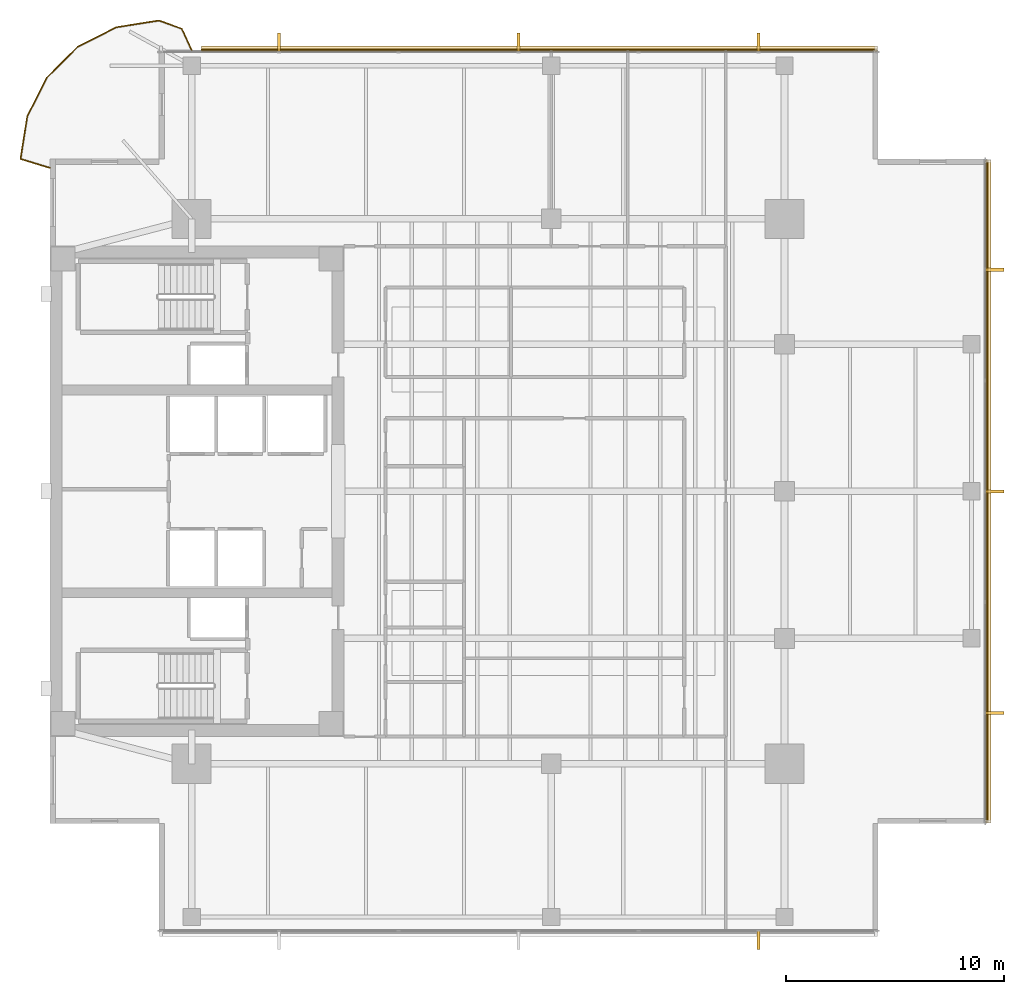
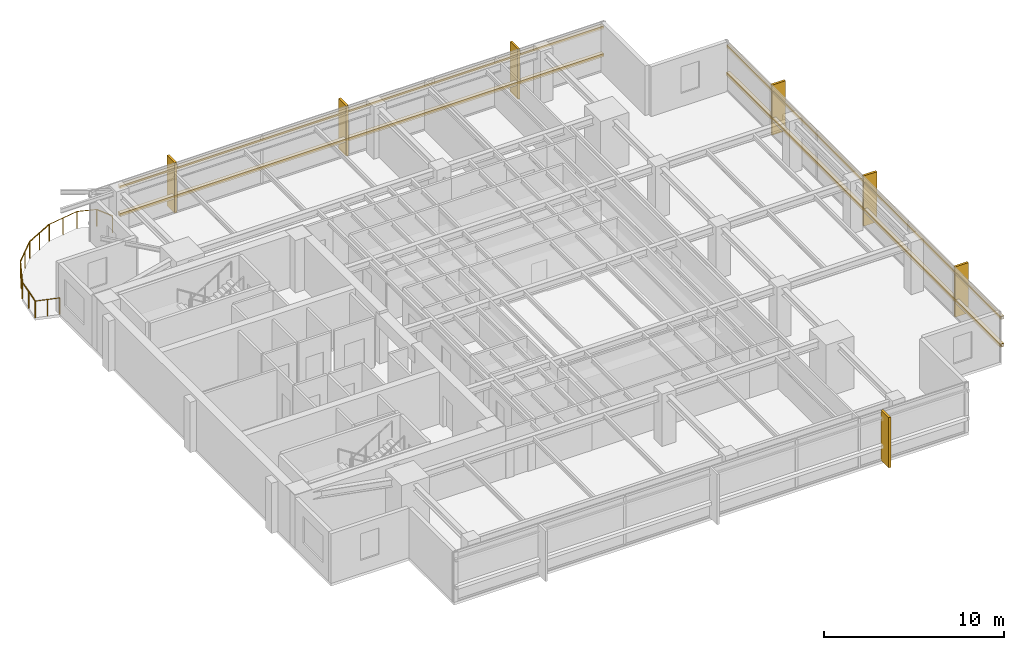
# One storey, part 14 of 14: 11 coverings, 8 railings, 4 shading devices.
"""IFC4 building model written with IfcOpenShell, lengths in metres."""

from ifc_helpers import new_model, si_unit, direction, frame, origin, origin_2d, place, context, subcontext, project, spatial, polyline, rectangle, circle, outline, extrude, material, layer, layer_set, material_profile, profile_set, type_object, element, save


model = new_model("IFC4")

# Units and contexts
model_context = context("Model", 3, precision=1e-05, world=origin(), true_north=direction((0.0, 1.0)))
body_context = subcontext(model_context, "Body", "Model", "MODEL_VIEW")
ifc_project = project(units=[si_unit("LENGTHUNIT", "METRE"), si_unit("AREAUNIT", "SQUARE_METRE"), si_unit("VOLUMEUNIT", "CUBIC_METRE"), si_unit("PLANEANGLEUNIT", "RADIAN"), si_unit("MASSUNIT", "GRAM", prefix="KILO")], contexts=[model_context])

# Site, building, storey
site_placement = place(None, origin())
site = spatial("IfcSite", under=ifc_project, at=site_placement, CompositionType="ELEMENT")
building_placement = place(site_placement, origin())
building = spatial("IfcBuilding", under=site, at=building_placement, Name="Kinhvarn Gate Tower", CompositionType="ELEMENT")
storey_placement = place(building_placement, frame((0.0, 0.0, 234.199951171875)))
storey = spatial("IfcBuildingStorey", under=building, at=storey_placement, Name="L62", CompositionType="ELEMENT", Elevation=234.199951171875)

# Coverings
ifc_material_1 = material(Name="Fired architectural terracotta", Category="masonry")
ifc_layer_1 = layer(ifc_material_1, 0.239990234375)
ifc_layer_set_1 = layer_set([ifc_layer_1], Name="Fired architectural terracotta")
covering_type_1 = type_object("IfcCoveringType", Name="COV-BAG-220", PredefinedType="CLADDING", material=ifc_layer_set_1)
covering_1_placement = place(storey_placement, frame((0.0, 0.0, 0.93994140625)))
element("IfcCovering", 1, at=covering_1_placement, inside=storey, type_object=covering_type_1, Name="Terracotta Horizontal Sunscreen Band TBG-220 (L62)", PredefinedType="CLADDING", context=body_context, shape_type="SweptSolid", body=[
    extrude(outline(polyline([(42.4599609375, 45.429931640625), (11.447021484375, 45.429931640625), (11.447021484375, 45.669921875), (42.4599609375, 45.669921875), (42.4599609375, 45.429931640625)])), origin(), (0.0, 0.0, 1.0), 0.22021484375),
])
covering_2_placement = place(storey_placement, frame((0.0, 0.0, 2.81005859375)))
element("IfcCovering", 2, at=covering_2_placement, inside=storey, type_object=covering_type_1, Name="Terracotta Horizontal Sunscreen Band TBG-220 (L62)", PredefinedType="CLADDING", context=body_context, shape_type="SweptSolid", body=[
    extrude(outline(polyline([(42.4599609375, 45.429931640625), (11.447021484375, 45.429931640625), (11.447021484375, 45.669921875), (42.4599609375, 45.669921875), (42.4599609375, 45.429931640625)])), origin(), (0.0, 0.0, 1.0), 0.219970703125),
])
covering_3_placement = place(storey_placement, frame((0.0, 0.0, 0.93994140625)))
element("IfcCovering", 3, at=covering_3_placement, inside=storey, type_object=covering_type_1, Name="Terracotta Horizontal Sunscreen Band TBG-220 (L62)", PredefinedType="CLADDING", context=body_context, shape_type="SweptSolid", body=[
    extrude(outline(polyline([(47.429931640625, 10.0400390625), (47.429931640625, 40.4599609375), (47.669921875, 40.4599609375), (47.669921875, 10.0400390625), (47.429931640625, 10.0400390625)])), origin(), (0.0, 0.0, 1.0), 0.22021484375),
])
covering_4_placement = place(storey_placement, frame((0.0, 0.0, 2.81005859375)))
element("IfcCovering", 4, at=covering_4_placement, inside=storey, type_object=covering_type_1, Name="Terracotta Horizontal Sunscreen Band TBG-220 (L62)", PredefinedType="CLADDING", context=body_context, shape_type="SweptSolid", body=[
    extrude(outline(polyline([(47.429931640625, 10.0400390625), (47.429931640625, 40.4599609375), (47.669921875, 40.4599609375), (47.669921875, 10.0400390625), (47.429931640625, 10.0400390625)])), origin(), (0.0, 0.0, 1.0), 0.219970703125),
])
ifc_layer_2 = layer(ifc_material_1, 0.139892578125)
ifc_layer_set_2 = layer_set([ifc_layer_2], Name="Fired architectural terracotta")
covering_type_2 = type_object("IfcCoveringType", Name="COV-FIN-850", PredefinedType="CLADDING", material=ifc_layer_set_2)
covering_5_placement = place(storey_placement, frame((0.0, 0.0, -0.02001953125)))
element("IfcCovering", 5, at=covering_5_placement, inside=storey, type_object=covering_type_2, Name="Vertical Terracotta Expressive Fin TFN-850 (L62)", PredefinedType="CLADDING", context=body_context, shape_type="SweptSolid", body=[
    extrude(outline(polyline([(36.929931640625, 5.080078125), (37.070068359375, 5.080078125), (37.070068359375, 4.22998046875), (36.929931640625, 4.22998046875), (36.929931640625, 5.080078125)])), origin(), (0.0, 0.0, 1.0), 3.41015625),
])
covering_6_placement = place(storey_placement, frame((0.0, 0.0, -0.02001953125)))
element("IfcCovering", 6, at=covering_6_placement, inside=storey, type_object=covering_type_2, Name="Vertical Terracotta Expressive Fin TFN-850 (L62)", PredefinedType="CLADDING", context=body_context, shape_type="SweptSolid", body=[
    extrude(outline(polyline([(37.070068359375, 45.419921875), (36.929931640625, 45.419921875), (36.929931640625, 46.27001953125), (37.070068359375, 46.27001953125), (37.070068359375, 45.419921875)])), origin(), (0.0, 0.0, 1.0), 3.41015625),
])
covering_7_placement = place(storey_placement, frame((0.0, 0.0, -0.02001953125)))
element("IfcCovering", 7, at=covering_7_placement, inside=storey, type_object=covering_type_2, Name="Vertical Terracotta Expressive Fin TFN-850 (L62)", PredefinedType="CLADDING", context=body_context, shape_type="SweptSolid", body=[
    extrude(outline(polyline([(26.070068359375, 45.419921875), (25.929931640625, 45.419921875), (25.929931640625, 46.27001953125), (26.070068359375, 46.27001953125), (26.070068359375, 45.419921875)])), origin(), (0.0, 0.0, 1.0), 3.41015625),
])
covering_8_placement = place(storey_placement, frame((0.0, 0.0, -0.02001953125)))
element("IfcCovering", 8, at=covering_8_placement, inside=storey, type_object=covering_type_2, Name="Vertical Terracotta Expressive Fin TFN-850 (L62)", PredefinedType="CLADDING", context=body_context, shape_type="SweptSolid", body=[
    extrude(outline(polyline([(15.070068359375, 45.419921875), (14.929931640625, 45.419921875), (14.929931640625, 46.27001953125), (15.070068359375, 46.27001953125), (15.070068359375, 45.419921875)])), origin(), (0.0, 0.0, 1.0), 3.41015625),
])
covering_9_placement = place(storey_placement, frame((0.0, 0.0, -0.02001953125)))
element("IfcCovering", 9, at=covering_9_placement, inside=storey, type_object=covering_type_2, Name="Vertical Terracotta Expressive Fin TFN-850 (L62)", PredefinedType="CLADDING", context=body_context, shape_type="SweptSolid", body=[
    extrude(outline(polyline([(47.419921875, 15.01318359375), (47.419921875, 15.1533203125), (48.27001953125, 15.1533203125), (48.27001953125, 15.01318359375), (47.419921875, 15.01318359375)])), origin(), (0.0, 0.0, 1.0), 3.41015625),
])
covering_10_placement = place(storey_placement, frame((0.0, 0.0, -0.02001953125)))
element("IfcCovering", 10, at=covering_10_placement, inside=storey, type_object=covering_type_2, Name="Vertical Terracotta Expressive Fin TFN-850 (L62)", PredefinedType="CLADDING", context=body_context, shape_type="SweptSolid", body=[
    extrude(outline(polyline([(47.419921875, 25.179931640625), (47.419921875, 25.320068359375), (48.27001953125, 25.320068359375), (48.27001953125, 25.179931640625), (47.419921875, 25.179931640625)])), origin(), (0.0, 0.0, 1.0), 3.41015625),
])
covering_11_placement = place(storey_placement, frame((0.0, 0.0, -0.02001953125)))
element("IfcCovering", 11, at=covering_11_placement, inside=storey, type_object=covering_type_2, Name="Vertical Terracotta Expressive Fin TFN-850 (L62)", PredefinedType="CLADDING", context=body_context, shape_type="SweptSolid", body=[
    extrude(outline(polyline([(47.419921875, 35.3466796875), (47.419921875, 35.48681640625), (48.27001953125, 35.48681640625), (48.27001953125, 35.3466796875), (47.419921875, 35.3466796875)])), origin(), (0.0, 0.0, 1.0), 3.41015625),
])

# Railings
ifc_material_2 = material(Name="Clear low-e double glazing", Category="glass")
railing_type = type_object("IfcRailingType", Name="RL-BAL-1150", PredefinedType="BALUSTRADE", material=ifc_material_2)
railing_1_placement = place(storey_placement, frame((10.9970703125, 45.5, 0.0)))
element("IfcRailing", 12, at=railing_1_placement, inside=storey, type_object=railing_type, Name="S-Carve Balcony Guardrail Seg 1 (L62)", PredefinedType="BALUSTRADE", context=body_context, shape_type="SweptSolid", body=[
    extrude(circle(Radius=0.02392578125, at=origin_2d()), frame((0.0, 0.0, 1.1259765625), z_axis=(-0.420113139387, 0.90747173516, 0.0), x_axis=(-0.90747173516, -0.420113139387, 0.0)), (0.0, 0.0, 1.0), 1.071044921875),
    extrude(circle(Radius=0.02099609375, at=origin_2d()), origin(), (0.0, 0.0, 1.0), 1.101806640625),
    extrude(circle(Radius=0.02099609375, at=origin_2d()), frame((-0.449951171875, 0.971923828125, 0.0)), (0.0, 0.0, 1.0), 1.101806640625),
])
railing_2_placement = place(storey_placement, frame((10.547119140625, 46.471923828125, 0.0)))
element("IfcRailing", 13, at=railing_2_placement, inside=storey, type_object=railing_type, Name="S-Carve Balcony Guardrail Seg 2 (L62)", PredefinedType="BALUSTRADE", context=body_context, shape_type="SweptSolid", body=[
    extrude(circle(Radius=0.02392578125, at=origin_2d()), frame((0.0, 0.0, 1.1259765625), z_axis=(-0.940540277429, 0.339682184597, 0.0), x_axis=(-0.339682184597, -0.940540277429, 0.0)), (0.0, 0.0, 1.0), 1.11328125),
    extrude(circle(Radius=0.02099609375, at=origin_2d()), origin(), (0.0, 0.0, 1.0), 1.101806640625),
    extrude(circle(Radius=0.02099609375, at=origin_2d()), frame((-1.047119140625, 0.378173828125, 0.0)), (0.0, 0.0, 1.0), 1.101806640625),
])
railing_3_placement = place(storey_placement, frame((9.5, 46.85009765625, 0.0)))
element("IfcRailing", 14, at=railing_3_placement, inside=storey, type_object=railing_type, Name="S-Carve Balcony Guardrail Seg 3 (L62)", PredefinedType="BALUSTRADE", context=body_context, shape_type="SweptSolid", body=[
    extrude(circle(Radius=0.02392578125, at=origin_2d()), frame((0.0, 0.0, 1.1259765625), z_axis=(-0.987690127674, -0.156423181454, 0.0), x_axis=(0.156423181454, -0.987690127674, 0.0)), (0.0, 0.0, 1.0), 1.98681640625),
    extrude(circle(Radius=0.02099609375, at=origin_2d()), origin(), (0.0, 0.0, 1.0), 1.101806640625),
    extrude(circle(Radius=0.02099609375, at=origin_2d()), frame((-0.981201171875, -0.1552734375, 0.0)), (0.0, 0.0, 1.0), 1.101806640625),
    extrude(circle(Radius=0.02099609375, at=origin_2d()), frame((-1.96240234375, -0.310791015625, 0.0)), (0.0, 0.0, 1.0), 1.101806640625),
])
railing_4_placement = place(storey_placement, frame((7.53759765625, 46.539306640625, 0.0)))
element("IfcRailing", 15, at=railing_4_placement, inside=storey, type_object=railing_type, Name="S-Carve Balcony Guardrail Seg 4 (L62)", PredefinedType="BALUSTRADE", context=body_context, shape_type="SweptSolid", body=[
    extrude(circle(Radius=0.02392578125, at=origin_2d()), frame((0.0, 0.0, 1.1259765625), z_axis=(-0.89095976722, -0.454082253776, 0.0), x_axis=(0.454082253776, -0.89095976722, 0.0)), (0.0, 0.0, 1.0), 1.986572265625),
    extrude(circle(Radius=0.02099609375, at=origin_2d()), origin(), (0.0, 0.0, 1.0), 1.101806640625),
    extrude(circle(Radius=0.02099609375, at=origin_2d()), frame((-0.885009765625, -0.451171875, 0.0)), (0.0, 0.0, 1.0), 1.101806640625),
    extrude(circle(Radius=0.02099609375, at=origin_2d()), frame((-1.77001953125, -0.902099609375, 0.0)), (0.0, 0.0, 1.0), 1.101806640625),
])
railing_5_placement = place(storey_placement, frame((5.767578125, 45.63720703125, 0.0)))
element("IfcRailing", 16, at=railing_5_placement, inside=storey, type_object=railing_type, Name="S-Carve Balcony Guardrail Seg 5 (L62)", PredefinedType="BALUSTRADE", context=body_context, shape_type="SweptSolid", body=[
    extrude(circle(Radius=0.02392578125, at=origin_2d()), frame((0.0, 0.0, 1.1259765625), z_axis=(-0.707106781187, -0.707106781187, 0.0), x_axis=(0.707106781187, -0.707106781187, 0.0)), (0.0, 0.0, 1.0), 1.986572265625),
    extrude(circle(Radius=0.02099609375, at=origin_2d()), origin(), (0.0, 0.0, 1.0), 1.101806640625),
    extrude(circle(Radius=0.02099609375, at=origin_2d()), frame((-0.702392578125, -0.702392578125, 0.0)), (0.0, 0.0, 1.0), 1.101806640625),
    extrude(circle(Radius=0.02099609375, at=origin_2d()), frame((-1.40478515625, -1.40478515625, 0.0)), (0.0, 0.0, 1.0), 1.101806640625),
])
railing_6_placement = place(storey_placement, frame((4.36279296875, 44.232421875, 0.0)))
element("IfcRailing", 17, at=railing_6_placement, inside=storey, type_object=railing_type, Name="S-Carve Balcony Guardrail Seg 6 (L62)", PredefinedType="BALUSTRADE", context=body_context, shape_type="SweptSolid", body=[
    extrude(circle(Radius=0.02392578125, at=origin_2d()), frame((0.0, 0.0, 1.1259765625), z_axis=(-0.454082253776, -0.89095976722, 0.0), x_axis=(0.89095976722, -0.454082253776, 0.0)), (0.0, 0.0, 1.0), 1.986572265625),
    extrude(circle(Radius=0.02099609375, at=origin_2d()), origin(), (0.0, 0.0, 1.0), 1.101806640625),
    extrude(circle(Radius=0.02099609375, at=origin_2d()), frame((-0.451171875, -0.885009765625, 0.0)), (0.0, 0.0, 1.0), 1.101806640625),
    extrude(circle(Radius=0.02099609375, at=origin_2d()), frame((-0.902099609375, -1.77001953125, 0.0)), (0.0, 0.0, 1.0), 1.101806640625),
])
railing_7_placement = place(storey_placement, frame((3.460693359375, 42.46240234375, 0.0)))
element("IfcRailing", 18, at=railing_7_placement, inside=storey, type_object=railing_type, Name="S-Carve Balcony Guardrail Seg 7 (L62)", PredefinedType="BALUSTRADE", context=body_context, shape_type="SweptSolid", body=[
    extrude(circle(Radius=0.02392578125, at=origin_2d()), frame((0.0, 0.0, 1.1259765625), z_axis=(-0.156423181454, -0.987690127674, 0.0), x_axis=(0.987690127674, -0.156423181454, 0.0)), (0.0, 0.0, 1.0), 1.98681640625),
    extrude(circle(Radius=0.02099609375, at=origin_2d()), origin(), (0.0, 0.0, 1.0), 1.101806640625),
    extrude(circle(Radius=0.02099609375, at=origin_2d()), frame((-0.1552734375, -0.981201171875, 0.0)), (0.0, 0.0, 1.0), 1.101806640625),
    extrude(circle(Radius=0.02099609375, at=origin_2d()), frame((-0.310791015625, -1.96240234375, 0.0)), (0.0, 0.0, 1.0), 1.101806640625),
])
railing_8_placement = place(storey_placement, frame((3.14990234375, 40.5, 0.0)))
element("IfcRailing", 19, at=railing_8_placement, inside=storey, type_object=railing_type, Name="S-Carve Balcony Guardrail Seg 8 (L62)", PredefinedType="BALUSTRADE", context=body_context, shape_type="SweptSolid", body=[
    extrude(circle(Radius=0.02392578125, at=origin_2d()), frame((0.0, 0.0, 1.1259765625), z_axis=(0.956047746591, -0.293211026803, 0.0), x_axis=(0.293211026803, 0.956047746591, 0.0)), (0.0, 0.0, 1.0), 1.412109375),
    extrude(circle(Radius=0.02099609375, at=origin_2d()), origin(), (0.0, 0.0, 1.0), 1.101806640625),
    extrude(circle(Radius=0.02099609375, at=origin_2d()), frame((0.675048828125, -0.20703125, 0.0)), (0.0, 0.0, 1.0), 1.101806640625),
    extrude(circle(Radius=0.02099609375, at=origin_2d()), frame((1.35009765625, -0.4140625, 0.0)), (0.0, 0.0, 1.0), 1.101806640625),
])

# Shading devices
ifc_material_profile = material_profile(ifc_material_1, rectangle(XDim=0.050048828125, YDim=0.1201171875, at=origin_2d()), Name="TC 50x120")
ifc_profile_set = profile_set([ifc_material_profile], Name="Fired architectural terracotta")
shading_device_type = type_object("IfcShadingDeviceType", Name="SHD-BAG-140", PredefinedType="USERDEFINED", material=ifc_profile_set)
for number, where, z_axis, x_axis, name in (
    (20, (42.4599609375, 45.5, 1.050048828125), (-1.0, 0.0, 0.0), (0.0, -1.0, 0.0), "Upper Tower Terracotta Baguette Screen Rod 50x120 mm (L62)"),
    (21, (42.4599609375, 45.5, 2.920166015625), (-1.0, 0.0, 0.0), (0.0, -1.0, 0.0), "Upper Tower Terracotta Baguette Screen Rod 50x120 mm (L62)"),
):
    element("IfcShadingDevice", number, at=place(storey_placement, frame(where, z_axis=z_axis, x_axis=x_axis)), inside=storey, type_object=shading_device_type, Name=name, ObjectType="BAGUETTE", PredefinedType="USERDEFINED", context=body_context, shape_type="SweptSolid", body=[
        extrude(rectangle(XDim=0.050048828125, YDim=0.1201171875, at=origin_2d()), origin(), (0.0, 0.0, 1.0), 31.012939453125),
    ])
for number, where, z_axis, x_axis, name in (
    (22, (47.5, 10.0400390625, 1.050048828125), (0.0, 1.0, 0.0), (-1.0, 0.0, 0.0), "Upper Tower Terracotta Baguette Screen Rod 50x120 mm (L62)"),
    (23, (47.5, 10.0400390625, 2.920166015625), (0.0, 1.0, 0.0), (-1.0, 0.0, 0.0), "Upper Tower Terracotta Baguette Screen Rod 50x120 mm (L62)"),
):
    element("IfcShadingDevice", number, at=place(storey_placement, frame(where, z_axis=z_axis, x_axis=x_axis)), inside=storey, type_object=shading_device_type, Name=name, ObjectType="BAGUETTE", PredefinedType="USERDEFINED", context=body_context, shape_type="SweptSolid", body=[
        extrude(rectangle(XDim=0.050048828125, YDim=0.1201171875, at=origin_2d()), origin(), (0.0, 0.0, 1.0), 30.419921875),
    ])

save(model, "model.ifc")
